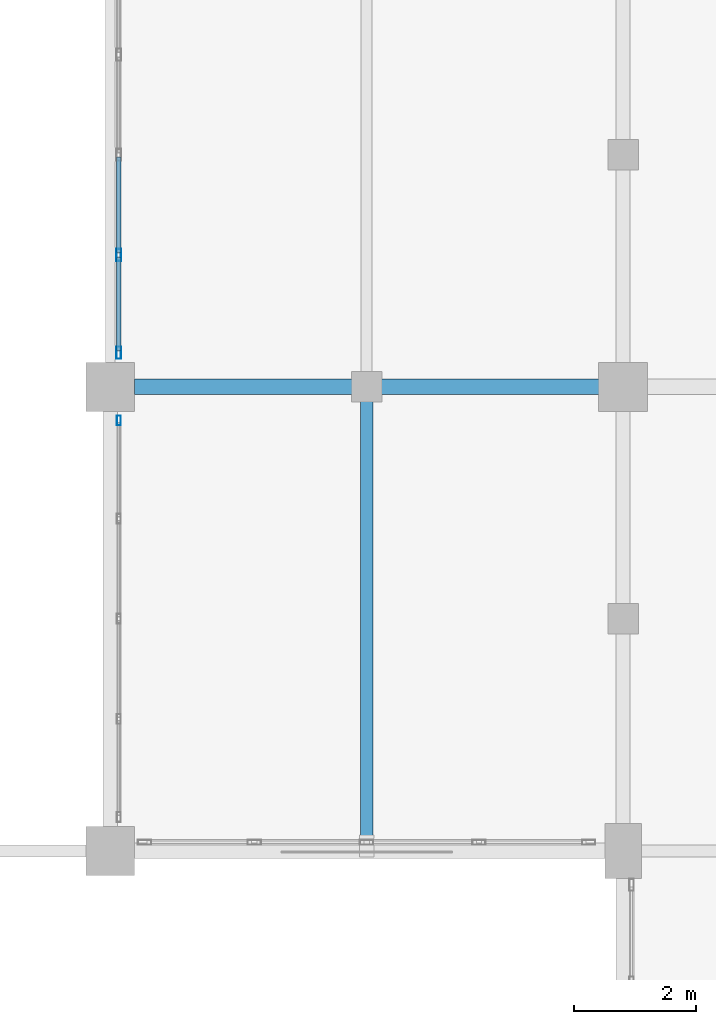
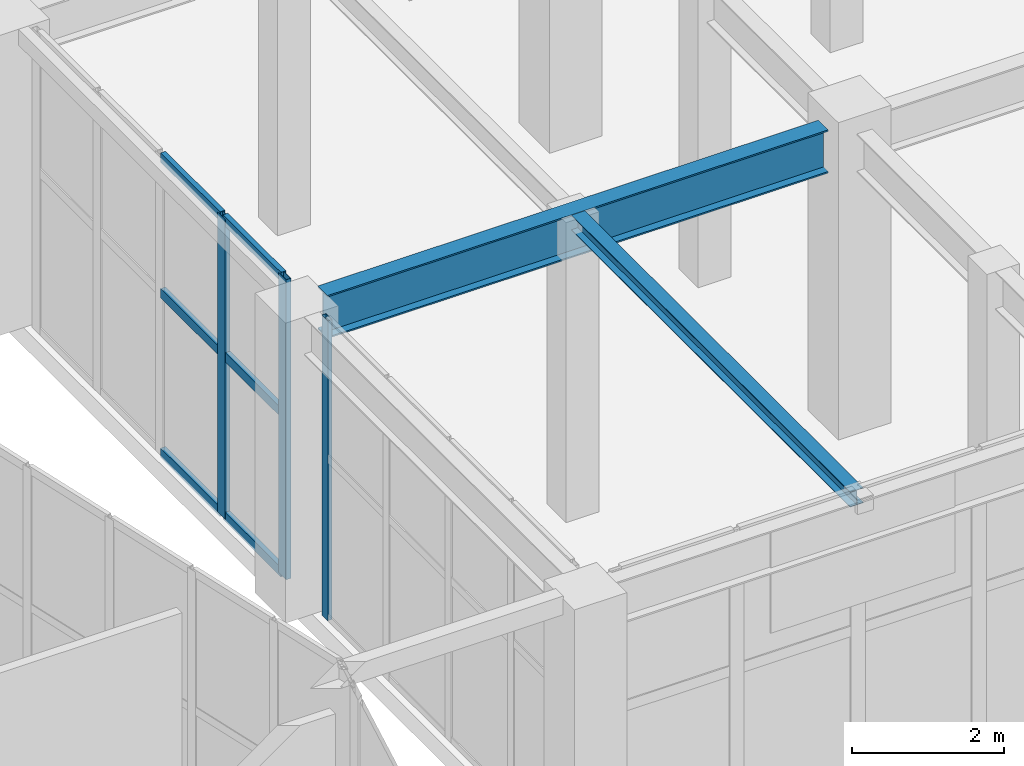
# One storey, part 27 of 128: 9 members, 2 beams, 2 elements without a shape of their own.
"""IFC4 building model written with IfcOpenShell, lengths in metres."""

from ifc_helpers import new_model, si_unit, direction, frame, origin, origin_2d, place, context, subcontext, project, spatial, hollow_rectangle, i_section, extrude, material, layer, layer_set, material_profile, profile_set, type_object, element, aggregate, save


model = new_model("IFC4")

# Units and contexts
model_context = context("Model", 3, precision=1e-05, world=origin(), true_north=direction((0.0, 1.0)))
body_context = subcontext(model_context, "Body", "Model", "MODEL_VIEW")
ifc_project = project(units=[si_unit("LENGTHUNIT", "METRE"), si_unit("AREAUNIT", "SQUARE_METRE"), si_unit("VOLUMEUNIT", "CUBIC_METRE"), si_unit("PLANEANGLEUNIT", "RADIAN"), si_unit("MASSUNIT", "GRAM", prefix="KILO")], contexts=[model_context])

# Site, building, storey
site_placement = place(None, origin())
site = spatial("IfcSite", under=ifc_project, at=site_placement, CompositionType="ELEMENT")
building_placement = place(site_placement, origin())
building = spatial("IfcBuilding", under=site, at=building_placement, Name="Xicomal Pleat Aquarium", CompositionType="ELEMENT")
storey_placement = place(building_placement, frame((0.0, 0.0, 5.39990234375)))
storey = spatial("IfcBuildingStorey", under=building, at=storey_placement, Name="L02", CompositionType="ELEMENT", Elevation=5.39990234375)

# Beams
ifc_material_1 = material(Name="Structural steel A992 Gr 50", Category="steel")
ifc_material_profile_1 = material_profile(ifc_material_1, i_section(OverallWidth=0.201904296875, OverallDepth=0.2470703125, WebThickness=0.00732421875, FlangeThickness=0.010986328125, at=origin_2d()), Name="IR 250x49")
ifc_profile_set_1 = profile_set([ifc_material_profile_1], Name="Structural steel A992 Gr 50")
beam_type_1 = type_object("IfcBeamType", Name="BM-STL-IR250", PredefinedType="JOIST", material=ifc_profile_set_1)
beam_1_placement = place(storey_placement, frame((48.0, 30.531005859375, 4.696533203125), z_axis=(0.0, 1.0, 0.0), x_axis=(-1.0, 0.0, 0.0)))
element("IfcBeam", 1, at=beam_1_placement, inside=storey, type_object=beam_type_1, Name="L02 framing beam FBJ-L02-06-E-1", PredefinedType="JOIST", context=body_context, shape_type="SweptSolid", body=[
    extrude(i_section(OverallWidth=0.201904296875, OverallDepth=0.2470703125, WebThickness=0.00732421875, FlangeThickness=0.010986328125, at=origin_2d()), origin(), (0.0, 0.0, 1.0), 7.337890625),
])
ifc_material_2 = material(Name="Structural steel A992 Gr 50", Category="steel")
ifc_material_profile_2 = material_profile(ifc_material_2, i_section(OverallWidth=0.256103515625, OverallDepth=0.693115234375, WebThickness=0.014404296875, FlangeThickness=0.023681640625, at=origin_2d()), Name="IR 690x170")
ifc_profile_set_2 = profile_set([ifc_material_profile_2], Name="Structural steel A992 Gr 50")
beam_type_2 = type_object("IfcBeamType", Name="BM-STL-IR690", PredefinedType="BEAM", material=ifc_profile_set_2)
beam_2_placement = place(storey_placement, frame((44.195068359375, 38.0, 4.4736328125), z_axis=(1.0, 0.0, 0.0), x_axis=(0.0, 1.0, 0.0)))
element("IfcBeam", 2, at=beam_2_placement, inside=storey, type_object=beam_type_2, Name="L02 framing beam FGX-L02-06-07-F", PredefinedType="BEAM", context=body_context, shape_type="SweptSolid", body=[
    extrude(i_section(OverallWidth=0.256103515625, OverallDepth=0.693115234375, WebThickness=0.014404296875, FlangeThickness=0.023681640625, at=origin_2d()), origin(), (0.0, 0.0, 1.0), 7.60986328125),
])

# Curtain wall, member
ifc_material_3 = material(Name="Bronze anodized aluminium 6063-T6", Category="aluminium")
ifc_layer_1 = layer(ifc_material_3, 0.159912109375)
ifc_layer_set_1 = layer_set([ifc_layer_1], Name="Bronze anodized aluminium 6063-T6")
curtain_wall_type_1 = type_object("IfcCurtainWallType", Name="CW-SYS-02", PredefinedType="NOTDEFINED", material=ifc_layer_set_1)
curtain_wall_1_placement = place(storey_placement, origin())
curtain_wall_1 = element("IfcCurtainWall", 3, at=curtain_wall_1_placement, inside=storey, type_object=curtain_wall_type_1, Name="L02 unitised curtain wall CW-L02-096", PredefinedType="NOTDEFINED")
ifc_material_4 = material(Name="Bronze anodized aluminium 6063-T6", Category="aluminium")
ifc_material_profile_3 = material_profile(ifc_material_4, hollow_rectangle(XDim=0.06494140625, YDim=0.159912109375, WallThickness=0.00390625, at=origin_2d()), Name="ALU MULL 65x160")
ifc_profile_set_3 = profile_set([ifc_material_profile_3], Name="Bronze anodized aluminium 6063-T6")
member_type_1 = type_object("IfcMemberType", Name="CWM-65x160", PredefinedType="MULLION", material=ifc_profile_set_3)
member_1_placement = place(storey_placement, frame((43.93994140625, 37.447509765625, 0.0), z_axis=(0.0, 0.0, 1.0), x_axis=(-1.0, 0.0, 0.0)))
member_1 = element("IfcMember", 4, at=member_1_placement, type_object=member_type_1, Name="CW-02 mullion 5", PredefinedType="MULLION", context=body_context, shape_type="SweptSolid", body=[
    extrude(hollow_rectangle(XDim=0.06494140625, YDim=0.159912109375, WallThickness=0.00390625, at=origin_2d()), origin(), (0.0, 0.0, 1.0), 4.820068359375),
])
aggregate(curtain_wall_1, [member_1])

# Curtain wall, members
ifc_material_5 = material(Name="Bronze anodized aluminium 6063-T6", Category="aluminium")
ifc_layer_2 = layer(ifc_material_5, 0.159912109375)
ifc_layer_set_2 = layer_set([ifc_layer_2], Name="Bronze anodized aluminium 6063-T6")
curtain_wall_type_2 = type_object("IfcCurtainWallType", Name="CW-SYS-07", PredefinedType="NOTDEFINED", material=ifc_layer_set_2)
curtain_wall_2_placement = place(storey_placement, origin())
curtain_wall_2 = element("IfcCurtainWall", 5, at=curtain_wall_2_placement, inside=storey, type_object=curtain_wall_type_2, Name="L02 unitised curtain wall CW-L02-097", PredefinedType="NOTDEFINED")
ifc_material_6 = material(Name="Bronze anodized aluminium 6063-T6", Category="aluminium")
ifc_material_profile_4 = material_profile(ifc_material_6, hollow_rectangle(XDim=0.074951171875, YDim=0.199951171875, WallThickness=0.00439453125, at=origin_2d()), Name="ALU MULL 75x200")
ifc_profile_set_4 = profile_set([ifc_material_profile_4], Name="Bronze anodized aluminium 6063-T6")
member_type_2 = type_object("IfcMemberType", Name="CWM-75x200", PredefinedType="MULLION", material=ifc_profile_set_4)
member_2_placement = place(storey_placement, frame((43.93994140625, 38.5576171875, 0.0), z_axis=(0.0, 0.0, 1.0), x_axis=(-1.0, 0.0, 0.0)))
member_2 = element("IfcMember", 6, at=member_2_placement, type_object=member_type_2, Name="CW-07 mullion 1", PredefinedType="MULLION", context=body_context, shape_type="SweptSolid", body=[
    extrude(hollow_rectangle(XDim=0.074951171875, YDim=0.199951171875, WallThickness=0.00439453125, at=origin_2d()), origin(), (0.0, 0.0, 1.0), 4.820068359375),
])
member_3_placement = place(storey_placement, frame((43.93994140625, 40.159912109375, 0.0), z_axis=(0.0, 0.0, 1.0), x_axis=(-1.0, 0.0, 0.0)))
member_3 = element("IfcMember", 7, at=member_3_placement, type_object=member_type_2, Name="CW-07 mullion 2", PredefinedType="MULLION", context=body_context, shape_type="SweptSolid", body=[
    extrude(hollow_rectangle(XDim=0.074951171875, YDim=0.199951171875, WallThickness=0.00439453125, at=origin_2d()), origin(), (0.0, 0.0, 1.0), 4.820068359375),
])
ifc_material_7 = material(Name="Bronze anodized aluminium 6063-T6", Category="aluminium")
ifc_material_profile_5 = material_profile(ifc_material_7, hollow_rectangle(XDim=0.074951171875, YDim=0.14990234375, WallThickness=0.00439453125, at=origin_2d()), Name="ALU TRAN 75x150")
ifc_profile_set_5 = profile_set([ifc_material_profile_5], Name="Bronze anodized aluminium 6063-T6")
member_type_3 = type_object("IfcMemberType", Name="CWT-75x150", PredefinedType="USERDEFINED", material=ifc_profile_set_5)
member_4_placement = place(storey_placement, frame((43.93994140625, 38.594970703125, 0.03759765625), z_axis=(0.0, 1.0, 0.0), x_axis=(-1.0, 0.0, 0.0)))
member_4 = element("IfcMember", 8, at=member_4_placement, type_object=member_type_3, Name="CW-07 transom 1.1", ObjectType="TRANSOM", PredefinedType="USERDEFINED", context=body_context, shape_type="SweptSolid", body=[
    extrude(hollow_rectangle(XDim=0.074951171875, YDim=0.14990234375, WallThickness=0.00439453125, at=origin_2d()), origin(), (0.0, 0.0, 1.0), 1.527587890625),
])
member_5_placement = place(storey_placement, frame((43.93994140625, 38.594970703125, 2.60302734375), z_axis=(0.0, 1.0, 0.0), x_axis=(-1.0, 0.0, 0.0)))
member_5 = element("IfcMember", 9, at=member_5_placement, type_object=member_type_3, Name="CW-07 transom 1.2", ObjectType="TRANSOM", PredefinedType="USERDEFINED", context=body_context, shape_type="SweptSolid", body=[
    extrude(hollow_rectangle(XDim=0.074951171875, YDim=0.14990234375, WallThickness=0.00439453125, at=origin_2d()), origin(), (0.0, 0.0, 1.0), 1.527587890625),
])
member_6_placement = place(storey_placement, frame((43.93994140625, 38.594970703125, 4.78271484375), z_axis=(0.0, 1.0, 0.0), x_axis=(-1.0, 0.0, 0.0)))
member_6 = element("IfcMember", 10, at=member_6_placement, type_object=member_type_3, Name="CW-07 transom 1.3", ObjectType="TRANSOM", PredefinedType="USERDEFINED", context=body_context, shape_type="SweptSolid", body=[
    extrude(hollow_rectangle(XDim=0.074951171875, YDim=0.14990234375, WallThickness=0.00439453125, at=origin_2d()), origin(), (0.0, 0.0, 1.0), 1.527587890625),
])
member_7_placement = place(storey_placement, frame((43.93994140625, 40.197509765625, 0.03759765625), z_axis=(0.0, 1.0, 0.0), x_axis=(-1.0, 0.0, 0.0)))
member_7 = element("IfcMember", 11, at=member_7_placement, type_object=member_type_3, Name="CW-07 transom 2.1", ObjectType="TRANSOM", PredefinedType="USERDEFINED", context=body_context, shape_type="SweptSolid", body=[
    extrude(hollow_rectangle(XDim=0.074951171875, YDim=0.14990234375, WallThickness=0.00439453125, at=origin_2d()), origin(), (0.0, 0.0, 1.0), 1.56494140625),
])
member_8_placement = place(storey_placement, frame((43.93994140625, 40.197509765625, 2.60302734375), z_axis=(0.0, 1.0, 0.0), x_axis=(-1.0, 0.0, 0.0)))
member_8 = element("IfcMember", 12, at=member_8_placement, type_object=member_type_3, Name="CW-07 transom 2.2", ObjectType="TRANSOM", PredefinedType="USERDEFINED", context=body_context, shape_type="SweptSolid", body=[
    extrude(hollow_rectangle(XDim=0.074951171875, YDim=0.14990234375, WallThickness=0.00439453125, at=origin_2d()), origin(), (0.0, 0.0, 1.0), 1.56494140625),
])
member_9_placement = place(storey_placement, frame((43.93994140625, 40.197509765625, 4.78271484375), z_axis=(0.0, 1.0, 0.0), x_axis=(-1.0, 0.0, 0.0)))
member_9 = element("IfcMember", 13, at=member_9_placement, type_object=member_type_3, Name="CW-07 transom 2.3", ObjectType="TRANSOM", PredefinedType="USERDEFINED", context=body_context, shape_type="SweptSolid", body=[
    extrude(hollow_rectangle(XDim=0.074951171875, YDim=0.14990234375, WallThickness=0.00439453125, at=origin_2d()), origin(), (0.0, 0.0, 1.0), 1.56494140625),
])
aggregate(curtain_wall_2, [member_2, member_3, member_4, member_5, member_6, member_7, member_8, member_9])

save(model, "model.ifc")
